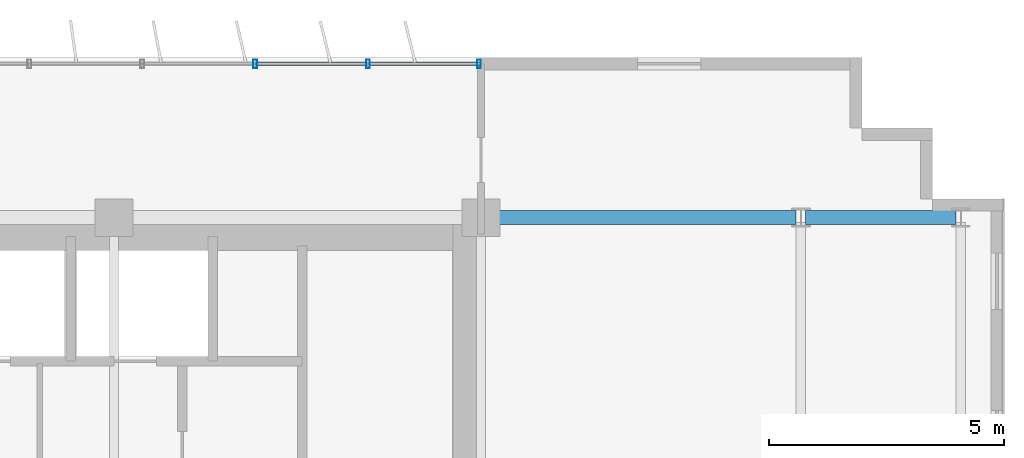
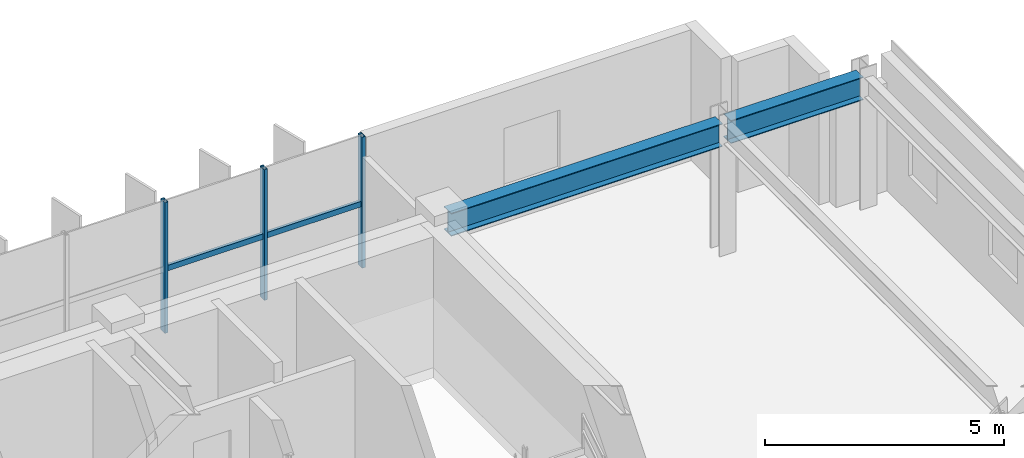
# One storey, part 11 of 21: 5 members, 2 beams, 1 element without a shape of its own.
"""IFC4 building model written with IfcOpenShell, lengths in metres."""

from ifc_helpers import new_model, si_unit, direction, frame, origin, origin_2d, place, context, subcontext, project, spatial, hollow_rectangle, i_section, extrude, source, transform, mapped, material, material_profile, profile_set, type_object, element, aggregate, save


model = new_model("IFC4")

# Units and contexts
model_context = context("Model", 3, precision=1e-05, world=origin(), true_north=direction((0.0, 1.0)))
body_context = subcontext(model_context, "Body", "Model", "MODEL_VIEW")
ifc_project = project(units=[si_unit("LENGTHUNIT", "METRE"), si_unit("AREAUNIT", "SQUARE_METRE"), si_unit("VOLUMEUNIT", "CUBIC_METRE"), si_unit("PLANEANGLEUNIT", "RADIAN"), si_unit("MASSUNIT", "GRAM", prefix="KILO")], contexts=[model_context])

# Site, building, storey
site_placement = place(None, origin())
site = spatial("IfcSite", under=ifc_project, at=site_placement, CompositionType="ELEMENT")
building_placement = place(site_placement, origin())
building = spatial("IfcBuilding", under=site, at=building_placement, Name="Trelvane Seafront Commons", CompositionType="ELEMENT")
storey_placement = place(building_placement, frame((0.0, 0.0, 106.89990234375)))
storey = spatial("IfcBuildingStorey", under=building, at=storey_placement, Name="L27", CompositionType="ELEMENT", Elevation=106.89990234375)

# Beams
ifc_material_1 = material(Name="Steel SM355 (S355)", Category="steel")
ifc_material_profile_1 = material_profile(ifc_material_1, i_section(OverallWidth=0.300048828125, OverallDepth=0.587890625, WebThickness=0.011962890625, FlangeThickness=0.02001953125, at=origin_2d()), Name="H-588x300x12x20")
ifc_profile_set_1 = profile_set([ifc_material_profile_1], Name="Steel SM355 (S355)")
beam_type = type_object("IfcBeamType", Name="STR-BM-H588", PredefinedType="BEAM", material=ifc_profile_set_1)
shared_shape_1 = source(origin(), body_context, "Body", "SweptSolid", [
    extrude(i_section(OverallWidth=0.300048828125, OverallDepth=0.587890625, WebThickness=0.011962890625, FlangeThickness=0.02001953125, at=origin_2d()), origin(), (0.0, 0.0, 1.0), 3.199951171875),
])
beam_1_placement = place(storey_placement, frame((65.699951171875, 45.10009765625, 3.046142578125), z_axis=(1.0, 0.0, 0.0), x_axis=(0.0, 1.0, 0.0)))
element("IfcBeam", 1, at=beam_1_placement, inside=storey, type_object=beam_type, Name="L27 Primary Girder G-36", PredefinedType="BEAM", context=body_context, shape_type="MappedRepresentation", body=[
    mapped(shared_shape_1, transform((0.0, 0.0, 0.0), x_axis=(1.0, 0.0, 0.0), y_axis=(0.0, 1.0, 0.0), z_axis=(0.0, 0.0, 1.0), scale=1.0)),
])
shared_shape_2 = source(origin(), body_context, "Body", "SweptSolid", [
    extrude(i_section(OverallWidth=0.300048828125, OverallDepth=0.587890625, WebThickness=0.011962890625, FlangeThickness=0.02001953125, at=origin_2d()), origin(), (0.0, 0.0, 1.0), 6.550048828125),
])
beam_2_placement = place(storey_placement, frame((58.949951171875, 45.10009765625, 3.046142578125), z_axis=(1.0, 0.0, 0.0), x_axis=(0.0, 1.0, 0.0)))
element("IfcBeam", 2, at=beam_2_placement, inside=storey, type_object=beam_type, Name="L27 Primary Girder G-35", PredefinedType="BEAM", context=body_context, shape_type="MappedRepresentation", body=[
    mapped(shared_shape_2, transform((0.0, 0.0, 0.0), x_axis=(1.0, 0.0, 0.0), y_axis=(0.0, 1.0, 0.0), z_axis=(0.0, 0.0, 1.0), scale=1.0)),
])

# Curtain wall, members
ifc_material_2 = material(Name="Anodised pale-silver aluminium", Category="aluminium")
curtain_wall_type = type_object("IfcCurtainWallType", Name="ARCH-CW4-SKYLOBBY", PredefinedType="NOTDEFINED", material=ifc_material_2)
curtain_wall_placement = place(storey_placement, origin())
curtain_wall = element("IfcCurtainWall", 3, at=curtain_wall_placement, inside=storey, type_object=curtain_wall_type, Name="CW-L27-0052", PredefinedType="NOTDEFINED")
ifc_material_profile_2 = material_profile(ifc_material_2, hollow_rectangle(XDim=0.074951171875, YDim=0.139892578125, WallThickness=0.00390625, at=origin_2d()), Name="TRAN-75x140x4")
ifc_profile_set_2 = profile_set([ifc_material_profile_2], Name="Anodised pale-silver aluminium")
member_type_1 = type_object("IfcMemberType", Name="ARCH-CW-TRAN-140", PredefinedType="USERDEFINED", material=ifc_profile_set_2)
shared_shape_3 = source(origin(), body_context, "Body", "SweptSolid", [
    extrude(hollow_rectangle(XDim=0.074951171875, YDim=0.139892578125, WallThickness=0.00390625, at=origin_2d()), origin(), (0.0, 0.0, 1.0), 2.3759765625),
])
member_1_placement = place(storey_placement, frame((54.011962890625, 48.3701171875, 1.60302734375), z_axis=(1.0, 0.0, 0.0), x_axis=(0.0, 1.0, 0.0)))
member_1 = element("IfcMember", 4, at=member_1_placement, type_object=member_type_1, Name="CW-L27-0052-T16", ObjectType="TRANSOM", PredefinedType="USERDEFINED", context=body_context, shape_type="MappedRepresentation", body=[
    mapped(shared_shape_3, transform((0.0, 0.0, 0.0), x_axis=(1.0, 0.0, 0.0), y_axis=(0.0, 1.0, 0.0), z_axis=(0.0, 0.0, 1.0), scale=1.0)),
])
member_2_placement = place(storey_placement, frame((56.412109375, 48.3701171875, 1.60302734375), z_axis=(1.0, 0.0, 0.0), x_axis=(0.0, 1.0, 0.0)))
member_2 = element("IfcMember", 5, at=member_2_placement, type_object=member_type_1, Name="CW-L27-0052-T17", ObjectType="TRANSOM", PredefinedType="USERDEFINED", context=body_context, shape_type="MappedRepresentation", body=[
    mapped(shared_shape_3, transform((0.0, 0.0, 0.0), x_axis=(1.0, 0.0, 0.0), y_axis=(0.0, 1.0, 0.0), z_axis=(0.0, 0.0, 1.0), scale=1.0)),
])
ifc_material_profile_3 = material_profile(ifc_material_2, hollow_rectangle(XDim=0.080078125, YDim=0.179931640625, WallThickness=0.00439453125, at=origin_2d()), Name="MULL-80x180x4.5")
ifc_profile_set_3 = profile_set([ifc_material_profile_3], Name="Anodised pale-silver aluminium")
member_type_2 = type_object("IfcMemberType", Name="ARCH-CW-MULL-180", PredefinedType="MULLION", material=ifc_profile_set_3)
shared_shape_4 = source(origin(), body_context, "Body", "SweptSolid", [
    extrude(hollow_rectangle(XDim=0.080078125, YDim=0.179931640625, WallThickness=0.00439453125, at=origin_2d()), origin(), (0.0, 0.0, 1.0), 3.340087890625),
])
member_3_placement = place(storey_placement, frame((54.0, 48.3701171875, 0.0), z_axis=(0.0, 0.0, 1.0), x_axis=(1.0, 0.0, 0.0)))
member_3 = element("IfcMember", 6, at=member_3_placement, type_object=member_type_2, Name="CW-L27-0052-M16", PredefinedType="MULLION", context=body_context, shape_type="MappedRepresentation", body=[
    mapped(shared_shape_4, transform((0.0, 0.0, 0.0), x_axis=(1.0, 0.0, 0.0), y_axis=(0.0, 1.0, 0.0), z_axis=(0.0, 0.0, 1.0), scale=1.0)),
])
member_4_placement = place(storey_placement, frame((56.39990234375, 48.3701171875, 0.0), z_axis=(0.0, 0.0, 1.0), x_axis=(1.0, 0.0, 0.0)))
member_4 = element("IfcMember", 7, at=member_4_placement, type_object=member_type_2, Name="CW-L27-0052-M17", PredefinedType="MULLION", context=body_context, shape_type="MappedRepresentation", body=[
    mapped(shared_shape_4, transform((0.0, 0.0, 0.0), x_axis=(1.0, 0.0, 0.0), y_axis=(0.0, 1.0, 0.0), z_axis=(0.0, 0.0, 1.0), scale=1.0)),
])
member_5_placement = place(storey_placement, frame((58.760009765625, 48.3701171875, 0.0), z_axis=(0.0, 0.0, 1.0), x_axis=(1.0, 0.0, 0.0)))
member_5 = element("IfcMember", 8, at=member_5_placement, type_object=member_type_2, Name="CW-L27-0052-M18", PredefinedType="MULLION", context=body_context, shape_type="MappedRepresentation", body=[
    mapped(shared_shape_4, transform((0.0, 0.0, 0.0), x_axis=(1.0, 0.0, 0.0), y_axis=(0.0, 1.0, 0.0), z_axis=(0.0, 0.0, 1.0), scale=1.0)),
])
aggregate(curtain_wall, [member_3, member_4, member_5, member_1, member_2])

save(model, "model.ifc")
